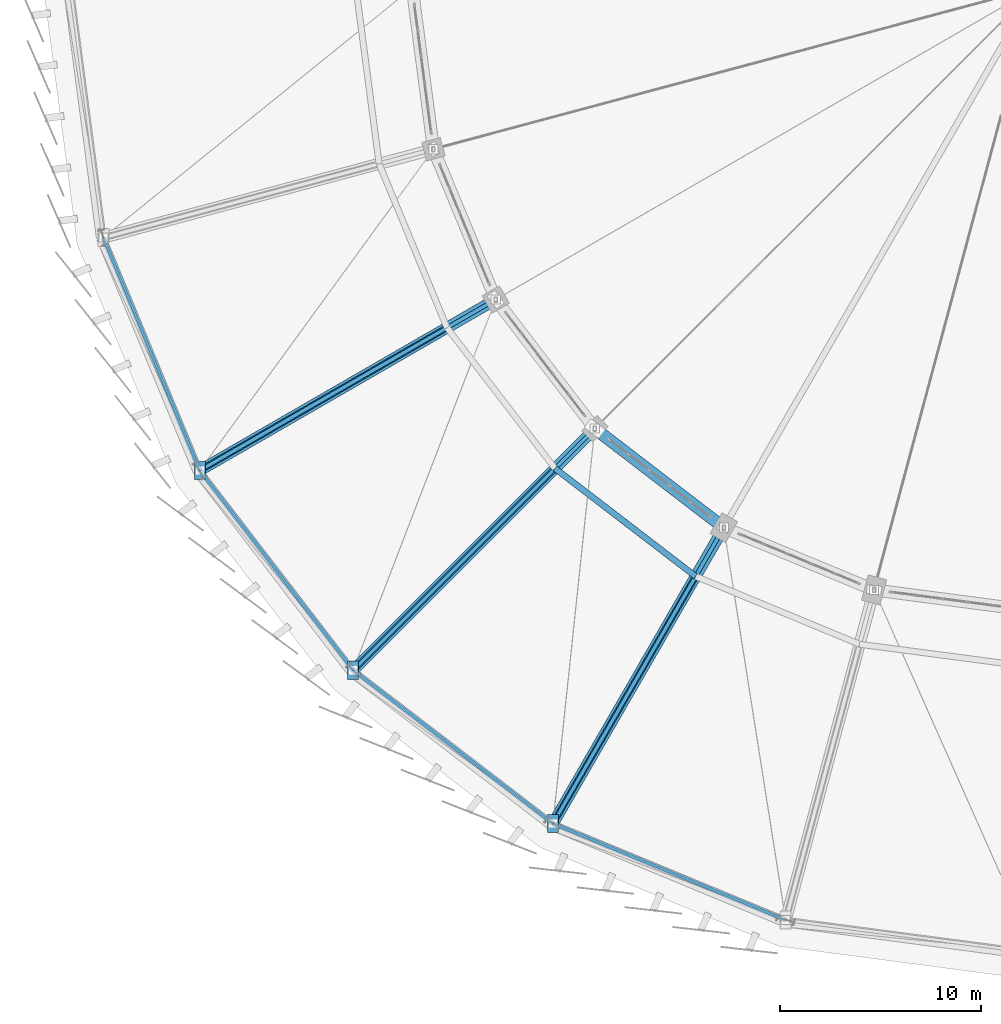
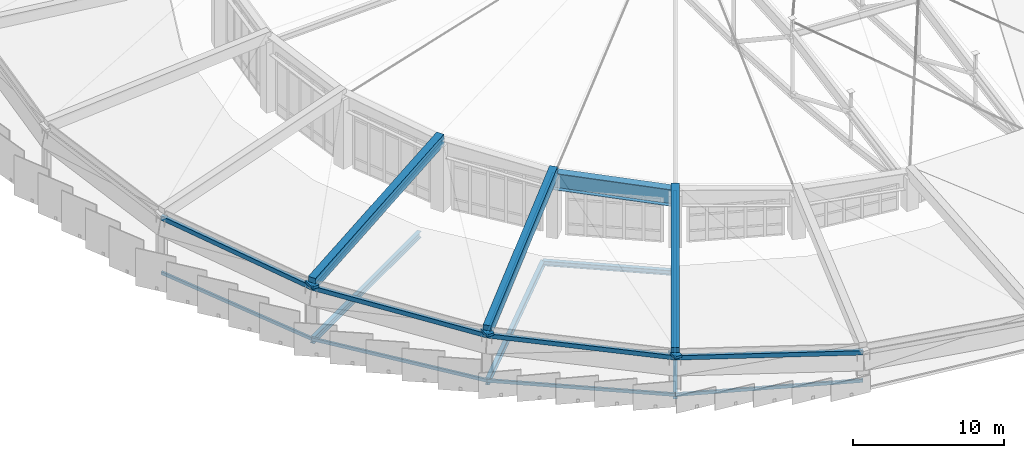
# One storey, part 8 of 68: 15 beams, 7 members.
"""IFC4 building model written with IfcOpenShell, lengths in metres."""

from ifc_helpers import new_model, si_unit, direction, frame, origin, origin_2d, place, context, subcontext, project, spatial, rectangle, hollow_rectangle, i_section, extrude, material, material_profile, profile_set, type_object, element, save


model = new_model("IFC4")

# Units and contexts
model_context = context("Model", 3, precision=1e-05, world=origin(), true_north=direction((0.0, 1.0)))
body_context = subcontext(model_context, "Body", "Model", "MODEL_VIEW")
ifc_project = project(units=[si_unit("LENGTHUNIT", "METRE"), si_unit("AREAUNIT", "SQUARE_METRE"), si_unit("VOLUMEUNIT", "CUBIC_METRE"), si_unit("PLANEANGLEUNIT", "RADIAN"), si_unit("MASSUNIT", "GRAM", prefix="KILO")], contexts=[model_context])

# Site, building, storey
site_placement = place(None, origin())
site = spatial("IfcSite", under=ifc_project, at=site_placement, CompositionType="ELEMENT")
building_placement = place(site_placement, origin())
building = spatial("IfcBuilding", under=site, at=building_placement, Name="Sohan Crest Arena", CompositionType="ELEMENT")
storey_placement = place(building_placement, frame((0.0, 0.0, 27.0)))
storey = spatial("IfcBuildingStorey", under=building, at=storey_placement, Name="RF", CompositionType="ELEMENT", Elevation=27.0)

# Beams
ifc_material_1 = material(Name="Steel S355", Category="steel")
ifc_material_profile_1 = material_profile(ifc_material_1, i_section(OverallWidth=0.300048828125, OverallDepth=0.389892578125, WebThickness=0.010986328125, FlangeThickness=0.01904296875, at=origin_2d()), Name="HEA 400")
ifc_profile_set_1 = profile_set([ifc_material_profile_1], Name="Steel S355")
beam_type_1 = type_object("IfcBeamType", Name="STR-BM-B09", PredefinedType="BEAM", material=ifc_profile_set_1)
beam_1_placement = place(storey_placement, frame((74.10009765625, 54.10009765625, -0.4150390625), z_axis=(0.793310569192, -0.608817165336, 0.0), x_axis=(0.608817165336, 0.793310569192, 0.0)))
element("IfcBeam", 1, at=beam_1_placement, inside=storey, type_object=beam_type_1, Name="Structural beam RG-RF-1894", PredefinedType="BEAM", context=body_context, shape_type="SweptSolid", body=[
    extrude(i_section(OverallWidth=0.300048828125, OverallDepth=0.389892578125, WebThickness=0.010986328125, FlangeThickness=0.01904296875, at=origin_2d()), origin(), (0.0, 0.0, 1.0), 8.82373046875),
])
ifc_material_profile_2 = material_profile(ifc_material_1, i_section(OverallWidth=0.300048828125, OverallDepth=0.489990234375, WebThickness=0.011962890625, FlangeThickness=0.02294921875, at=origin_2d()), Name="HEA 500")
ifc_profile_set_2 = profile_set([ifc_material_profile_2], Name="Steel S355")
beam_type_2 = type_object("IfcBeamType", Name="STR-BM-B10", PredefinedType="BEAM", material=ifc_profile_set_2)
beam_2_placement = place(storey_placement, frame((68.72802734375, 61.10009765625, -0.465087890625), z_axis=(-0.86601465089, -0.500018624098, 0.0), x_axis=(0.500018624098, -0.86601465089, 0.0)))
element("IfcBeam", 2, at=beam_2_placement, inside=storey, type_object=beam_type_2, Name="Structural beam RG-RF-1889", PredefinedType="BEAM", context=body_context, shape_type="SweptSolid", body=[
    extrude(i_section(OverallWidth=0.300048828125, OverallDepth=0.489990234375, WebThickness=0.011962890625, FlangeThickness=0.02294921875, at=origin_2d()), origin(), (0.0, 0.0, 1.0), 14.19970703125),
])
beam_3_placement = place(storey_placement, frame((74.10009765625, 54.10009765625, -0.465087890625), z_axis=(-0.707106781187, -0.707106781187, 0.0), x_axis=(0.707106781187, -0.707106781187, 0.0)))
element("IfcBeam", 3, at=beam_3_placement, inside=storey, type_object=beam_type_2, Name="Structural beam RG-RF-1892", PredefinedType="BEAM", context=body_context, shape_type="SweptSolid", body=[
    extrude(i_section(OverallWidth=0.300048828125, OverallDepth=0.489990234375, WebThickness=0.011962890625, FlangeThickness=0.02294921875, at=origin_2d()), origin(), (0.0, 0.0, 1.0), 14.2001953125),
])
beam_4_placement = place(storey_placement, frame((81.10009765625, 48.72802734375, -0.465087890625), z_axis=(-0.500018624098, -0.86601465089, 0.0), x_axis=(0.86601465089, -0.500018624098, 0.0)))
element("IfcBeam", 4, at=beam_4_placement, inside=storey, type_object=beam_type_2, Name="Structural beam RG-RF-1895", PredefinedType="BEAM", context=body_context, shape_type="SweptSolid", body=[
    extrude(i_section(OverallWidth=0.300048828125, OverallDepth=0.489990234375, WebThickness=0.011962890625, FlangeThickness=0.02294921875, at=origin_2d()), origin(), (0.0, 0.0, 1.0), 14.19970703125),
])
ifc_material_profile_3 = material_profile(ifc_material_1, i_section(OverallWidth=0.60009765625, OverallDepth=1.35009765625, WebThickness=0.02392578125, FlangeThickness=0.035888671875, at=origin_2d()), Name="PG 1350x600x24x36")
ifc_profile_set_3 = profile_set([ifc_material_profile_3], Name="Steel S355")
beam_type_3 = type_object("IfcBeamType", Name="STR-BM-RB02", PredefinedType="USERDEFINED", material=ifc_profile_set_3)
beam_5_placement = place(storey_placement, frame((76.080078125, 56.080078125, 4.406982421875), z_axis=(0.790843349246, -0.606936782443, -0.078705394166), x_axis=(0.608825408167, 0.793304243257, 0.0)))
element("IfcBeam", 5, at=beam_5_placement, inside=storey, type_object=beam_type_3, Name="Rising compression ring beam segment RB-10", ObjectType="RING BEAM", PredefinedType="USERDEFINED", context=body_context, shape_type="SweptSolid", body=[
    extrude(i_section(OverallWidth=0.60009765625, OverallDepth=1.35009765625, WebThickness=0.02392578125, FlangeThickness=0.035888671875, at=origin_2d()), origin(), (0.0, 0.0, 1.0), 8.117919921875),
])
ifc_material_2 = material(Name="Precast concrete C50/60", Category="concrete")
ifc_material_profile_4 = material_profile(ifc_material_2, rectangle(XDim=0.550048828125, YDim=0.89990234375, at=origin_2d()), Name="RAKER 550x900")
ifc_profile_set_4 = profile_set([ifc_material_profile_4], Name="Precast concrete C50/60")
beam_type_4 = type_object("IfcBeamType", Name="STR-BM-RK01", PredefinedType="USERDEFINED", material=ifc_profile_set_4)
beam_6_placement = place(storey_placement, frame((71.153076171875, 62.5, 5.52392578125), z_axis=(-0.863304220069, -0.498437858213, -0.079155070027), x_axis=(0.500006721848, -0.866021522889, 0.0)))
element("IfcBeam", 6, at=beam_6_placement, inside=storey, type_object=beam_type_4, Name="Perimeter radial apron raker RKB-09", ObjectType="RAKER", PredefinedType="USERDEFINED", context=body_context, shape_type="SweptSolid", body=[
    extrude(rectangle(XDim=0.550048828125, YDim=0.89990234375, at=origin_2d()), origin(), (0.0, 0.0, 1.0), 17.05322265625),
])
beam_7_placement = place(storey_placement, frame((56.430908203125, 54.0, 4.174072265625), z_axis=(0.0, 0.0, -1.0), x_axis=(1.0, 0.0, 0.0)))
element("IfcBeam", 7, at=beam_7_placement, inside=storey, type_object=beam_type_4, Name="Perimeter cantilever nose bracket RKC-09", ObjectType="RAKER", PredefinedType="USERDEFINED", context=body_context, shape_type="SweptSolid", body=[
    extrude(rectangle(XDim=0.550048828125, YDim=0.89990234375, at=origin_2d()), origin(), (0.0, 0.0, 1.0), 0.199951171875),
])
beam_8_placement = place(storey_placement, frame((76.080078125, 56.080078125, 5.027099609375), z_axis=(-0.704887429771, -0.704887429771, -0.079167055661), x_axis=(0.707106781187, -0.707106781187, 0.0)))
element("IfcBeam", 8, at=beam_8_placement, inside=storey, type_object=beam_type_4, Name="Perimeter radial apron raker RKB-10", ObjectType="RAKER", PredefinedType="USERDEFINED", context=body_context, shape_type="SweptSolid", body=[
    extrude(rectangle(XDim=0.550048828125, YDim=0.89990234375, at=origin_2d()), origin(), (0.0, 0.0, 1.0), 17.0537109375),
])
beam_9_placement = place(storey_placement, frame((64.05908203125, 44.05908203125, 3.677001953125), z_axis=(0.0, 0.0, -1.0), x_axis=(1.0, 0.0, 0.0)))
element("IfcBeam", 9, at=beam_9_placement, inside=storey, type_object=beam_type_4, Name="Perimeter cantilever nose bracket RKC-10", ObjectType="RAKER", PredefinedType="USERDEFINED", context=body_context, shape_type="SweptSolid", body=[
    extrude(rectangle(XDim=0.550048828125, YDim=0.89990234375, at=origin_2d()), origin(), (0.0, 0.0, 1.0), 0.199951171875),
])
beam_10_placement = place(storey_placement, frame((82.5, 51.153076171875, 4.387939453125), z_axis=(-0.498437858213, -0.863304220069, -0.079155070027), x_axis=(0.866021522889, -0.500006721848, 0.0)))
element("IfcBeam", 10, at=beam_10_placement, inside=storey, type_object=beam_type_4, Name="Perimeter radial apron raker RKB-11", ObjectType="RAKER", PredefinedType="USERDEFINED", context=body_context, shape_type="SweptSolid", body=[
    extrude(rectangle(XDim=0.550048828125, YDim=0.89990234375, at=origin_2d()), origin(), (0.0, 0.0, 1.0), 17.05322265625),
])
beam_11_placement = place(storey_placement, frame((74.0, 36.430908203125, 3.0380859375), z_axis=(0.0, 0.0, -1.0), x_axis=(1.0, 0.0, 0.0)))
element("IfcBeam", 11, at=beam_11_placement, inside=storey, type_object=beam_type_4, Name="Perimeter cantilever nose bracket RKC-11", ObjectType="RAKER", PredefinedType="USERDEFINED", context=body_context, shape_type="SweptSolid", body=[
    extrude(rectangle(XDim=0.550048828125, YDim=0.89990234375, at=origin_2d()), origin(), (0.0, 0.0, 1.0), 0.2001953125),
])
ifc_material_profile_5 = material_profile(ifc_material_1, hollow_rectangle(XDim=0.14990234375, YDim=0.25, WallThickness=0.010009765625, at=origin_2d()), Name="RHS 250x150x10")
ifc_profile_set_5 = profile_set([ifc_material_profile_5], Name="Steel S355")
beam_type_5 = type_object("IfcBeamType", Name="STR-BM-SP02", PredefinedType="SPANDREL", material=ifc_profile_set_5)
for number, where, z_axis, x_axis, name in (
    (12, (51.635986328125, 65.576904296875, -0.344970703125), (0.382656941645, -0.923890504882, 0.0), (0.923890504882, 0.382656941645, 0.0), "Structural beam SP-RF-1887"),
    (13, (56.430908203125, 54.0, -0.344970703125), (0.608773443368, -0.793344121205, 0.0), (0.793344121205, 0.608773443368, 0.0), "Structural beam SP-RF-1890"),
    (14, (64.05908203125, 44.05908203125, -0.344970703125), (0.793344121205, -0.608773443368, 0.0), (0.608773443368, 0.793344121205, 0.0), "Structural beam SP-RF-1893"),
    (15, (74.0, 36.430908203125, -0.344970703125), (0.923890504882, -0.382656941645, 0.0), (0.382656941645, 0.923890504882, 0.0), "Structural beam SP-RF-1896"),
):
    element("IfcBeam", number, at=place(storey_placement, frame(where, z_axis=z_axis, x_axis=x_axis)), inside=storey, type_object=beam_type_5, Name=name, PredefinedType="SPANDREL", context=body_context, shape_type="SweptSolid", body=[
        extrude(hollow_rectangle(XDim=0.14990234375, YDim=0.25, WallThickness=0.010009765625, at=origin_2d()), origin(), (0.0, 0.0, 1.0), 12.530517578125),
    ])

# Members
ifc_material_profile_6 = material_profile(ifc_material_1, hollow_rectangle(XDim=0.199951171875, YDim=0.300048828125, WallThickness=0.010009765625, at=origin_2d()), Name="RHS 300x200x10")
ifc_profile_set_6 = profile_set([ifc_material_profile_6], Name="Steel S355")
member_type_1 = type_object("IfcMemberType", Name="STR-MEM-CH03", PredefinedType="CHORD", material=ifc_profile_set_6)
member_1_placement = place(storey_placement, frame((71.153076171875, 62.5, 5.27392578125), z_axis=(-0.862888543113, -0.498197862708, -0.084983832336), x_axis=(0.500006721848, -0.866021522889, 0.0)))
element("IfcMember", 16, at=member_1_placement, inside=storey, type_object=member_type_1, Name="Outer roof-edge radial tie chord ORT-09", PredefinedType="CHORD", context=body_context, shape_type="SweptSolid", body=[
    extrude(hollow_rectangle(XDim=0.199951171875, YDim=0.300048828125, WallThickness=0.010009765625, at=origin_2d()), origin(), (0.0, 0.0, 1.0), 17.0615234375),
])
member_2_placement = place(storey_placement, frame((76.080078125, 56.080078125, 4.777099609375), z_axis=(-0.704547990584, -0.704547990584, -0.084995634755), x_axis=(0.707106781187, -0.707106781187, 0.0)))
element("IfcMember", 17, at=member_2_placement, inside=storey, type_object=member_type_1, Name="Outer roof-edge radial tie chord ORT-10", PredefinedType="CHORD", context=body_context, shape_type="SweptSolid", body=[
    extrude(hollow_rectangle(XDim=0.199951171875, YDim=0.300048828125, WallThickness=0.010009765625, at=origin_2d()), origin(), (0.0, 0.0, 1.0), 17.06201171875),
])
member_3_placement = place(storey_placement, frame((82.5, 51.153076171875, 4.137939453125), z_axis=(-0.498197862708, -0.862888543113, -0.084983832336), x_axis=(0.866021522889, -0.500006721848, 0.0)))
element("IfcMember", 18, at=member_3_placement, inside=storey, type_object=member_type_1, Name="Outer roof-edge radial tie chord ORT-11", PredefinedType="CHORD", context=body_context, shape_type="SweptSolid", body=[
    extrude(hollow_rectangle(XDim=0.199951171875, YDim=0.300048828125, WallThickness=0.010009765625, at=origin_2d()), origin(), (0.0, 0.0, 1.0), 17.0615234375),
])
ifc_material_profile_7 = material_profile(ifc_material_1, hollow_rectangle(XDim=0.25, YDim=0.35009765625, WallThickness=0.012451171875, at=origin_2d()), Name="RHS 350x250x12.5")
ifc_profile_set_7 = profile_set([ifc_material_profile_7], Name="Steel S355")
member_type_2 = type_object("IfcMemberType", Name="STR-MEM-CH04", PredefinedType="CHORD", material=ifc_profile_set_7)
member_4_placement = place(storey_placement, frame((51.635986328125, 65.576904296875, 4.138916015625), z_axis=(0.382536135356, -0.923598829044, -0.025125845958), x_axis=(0.923890504882, 0.382656941645, 0.0)))
element("IfcMember", 19, at=member_4_placement, inside=storey, type_object=member_type_2, Name="Outer roof-edge truss chord ORB-08", PredefinedType="CHORD", context=body_context, shape_type="SweptSolid", body=[
    extrude(hollow_rectangle(XDim=0.25, YDim=0.35009765625, WallThickness=0.012451171875, at=origin_2d()), origin(), (0.0, 0.0, 1.0), 12.53466796875),
])
member_5_placement = place(storey_placement, frame((56.430908203125, 54.0, 3.823974609375), z_axis=(0.60829501228, -0.792720637223, -0.039637978717), x_axis=(0.793344121205, 0.608773443368, 0.0)))
element("IfcMember", 20, at=member_5_placement, inside=storey, type_object=member_type_2, Name="Outer roof-edge truss chord ORB-09", PredefinedType="CHORD", context=body_context, shape_type="SweptSolid", body=[
    extrude(hollow_rectangle(XDim=0.25, YDim=0.35009765625, WallThickness=0.012451171875, at=origin_2d()), origin(), (0.0, 0.0, 1.0), 12.540283203125),
])
member_6_placement = place(storey_placement, frame((64.05908203125, 44.05908203125, 3.326904296875), z_axis=(0.792314817441, -0.607983606045, -0.050923126805), x_axis=(0.608773443368, 0.793344121205, 0.0)))
element("IfcMember", 21, at=member_6_placement, inside=storey, type_object=member_type_2, Name="Outer roof-edge truss chord ORB-10", PredefinedType="CHORD", context=body_context, shape_type="SweptSolid", body=[
    extrude(hollow_rectangle(XDim=0.25, YDim=0.35009765625, WallThickness=0.012451171875, at=origin_2d()), origin(), (0.0, 0.0, 1.0), 12.546630859375),
])
member_7_placement = place(storey_placement, frame((74.0, 36.430908203125, 2.68798828125), z_axis=(0.922326761755, -0.382009270564, -0.058157215834), x_axis=(0.382656941645, 0.923890504882, 0.0)))
element("IfcMember", 22, at=member_7_placement, inside=storey, type_object=member_type_2, Name="Outer roof-edge truss chord ORB-11", PredefinedType="CHORD", context=body_context, shape_type="SweptSolid", body=[
    extrude(hollow_rectangle(XDim=0.25, YDim=0.35009765625, WallThickness=0.012451171875, at=origin_2d()), origin(), (0.0, 0.0, 1.0), 12.5517578125),
])

save(model, "model.ifc")
